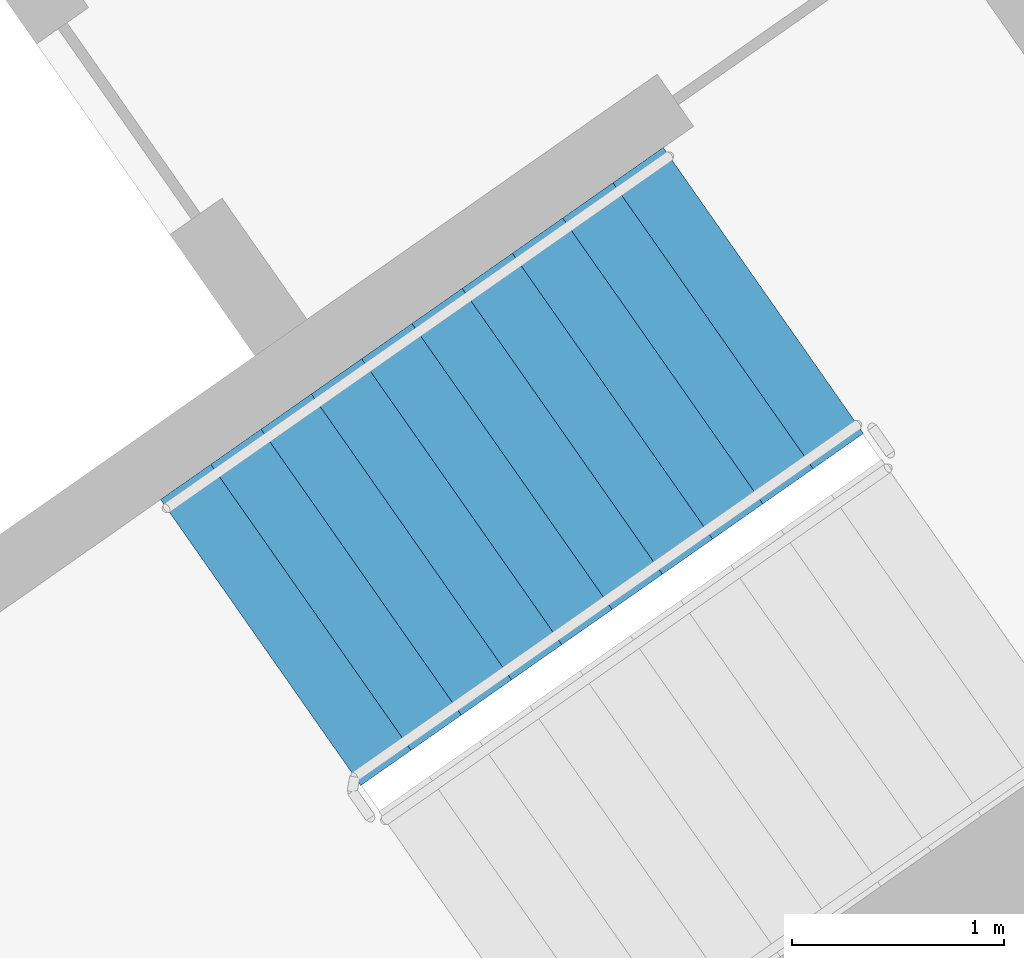
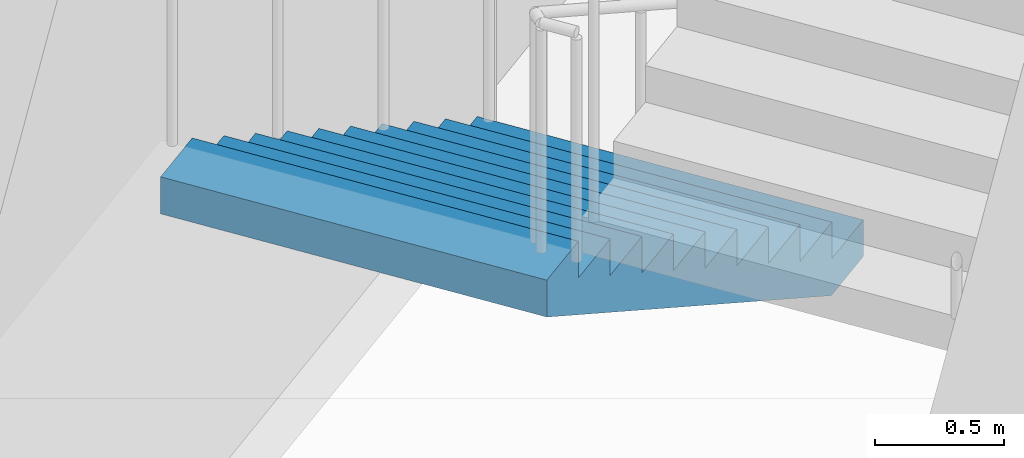
# One storey, part 17 of 29: 1 stair flight, 1 element without a shape of its own.
"""IFC4 building model written with IfcOpenShell, lengths in metres."""

from ifc_helpers import new_model, si_unit, direction, frame, origin, place, context, subcontext, project, spatial, faceted_brep, material, type_object, element, aggregate, save


model = new_model("IFC4")

# Units and contexts
model_context = context("Model", 3, precision=1e-05, world=origin(), true_north=direction((0.0, 1.0)))
body_context = subcontext(model_context, "Body", "Model", "MODEL_VIEW")
ifc_project = project(units=[si_unit("LENGTHUNIT", "METRE"), si_unit("AREAUNIT", "SQUARE_METRE"), si_unit("VOLUMEUNIT", "CUBIC_METRE"), si_unit("PLANEANGLEUNIT", "RADIAN"), si_unit("MASSUNIT", "GRAM", prefix="KILO")], contexts=[model_context])

# Site, building, storey
site_placement = place(None, origin())
site = spatial("IfcSite", under=ifc_project, at=site_placement, CompositionType="ELEMENT")
building_placement = place(site_placement, origin())
building = spatial("IfcBuilding", under=site, at=building_placement, Name="Qamariyya Broadcast Tower", CompositionType="ELEMENT")
storey_placement = place(building_placement, frame((0.0, 0.0, 113.89990234375)))
storey = spatial("IfcBuildingStorey", under=building, at=storey_placement, Name="L25", CompositionType="ELEMENT", Elevation=113.89990234375)

# Stair, stair flight
ifc_material = material(Name="Concrete C50/60", Category="concrete")
stair_type = type_object("IfcStairType", Name="Exit stair 22 risers of 173 mm", PredefinedType="HALF_TURN_STAIR", material=ifc_material)
stair_placement = place(storey_placement, origin())
stair = element("IfcStair", 1, at=stair_placement, inside=storey, type_object=stair_type, Name="L25 Stair E1", PredefinedType="HALF_TURN_STAIR")
stair_flight_type = type_object("IfcStairFlightType", Name="Exit stair flight 11 risers of 173 mm", PredefinedType="STRAIGHT", material=ifc_material)
stair_flight_placement = place(storey_placement, frame((46.036376953125, -55.508056640625, 0.0), z_axis=(0.0, 0.0, 1.0), x_axis=(-0.819152044289, -0.573576436351, 0.0)))
stair_flight = element("IfcStairFlight", 2, at=stair_flight_placement, type_object=stair_flight_type, Name="ST-E1 flight 1", NumberOfRisers=11, NumberOfTreads=10, PredefinedType="STRAIGHT", RiserHeight=0.172727273, TreadLength=0.29, context=body_context, shape_type="Brep", body=[
    faceted_brep([(0.0, 0.824951171875, 0.0), (0.0, 0.824951171875, 0.172607421875), (0.2900390625, 0.824951171875, 0.172607421875), (0.2900390625, 0.824951171875, 0.345458984375), (0.580078125, 0.824951171875, 0.345458984375), (0.580078125, 0.824951171875, 0.51806640625), (0.8701171875, 0.824951171875, 0.51806640625), (0.8701171875, 0.824951171875, 0.69091796875), (1.159912109375, 0.824951171875, 0.69091796875), (1.159912109375, 0.824951171875, 0.863525390625), (1.449951171875, 0.824951171875, 0.863525390625), (1.449951171875, 0.824951171875, 1.036376953125), (1.739990234375, 0.824951171875, 1.036376953125), (1.739990234375, 0.824951171875, 1.208984375), (2.030029296875, 0.824951171875, 1.208984375), (2.030029296875, 0.824951171875, 1.3818359375), (2.320068359375, 0.824951171875, 1.3818359375), (2.320068359375, 0.824951171875, 1.554443359375), (2.610107421875, 0.824951171875, 1.554443359375), (2.610107421875, 0.824951171875, 1.727294921875), (2.89990234375, 0.824951171875, 1.727294921875), (2.89990234375, 0.824951171875, 1.552734375), (0.29296875, 0.824951171875, 0.0), (0.29296875, -0.824951171875, 0.0), (2.89990234375, -0.824951171875, 1.552734375), (2.89990234375, -0.824951171875, 1.727294921875), (2.610107421875, -0.824951171875, 1.727294921875), (2.610107421875, -0.824951171875, 1.554443359375), (2.320068359375, -0.824951171875, 1.554443359375), (2.320068359375, -0.824951171875, 1.3818359375), (2.030029296875, -0.824951171875, 1.3818359375), (2.030029296875, -0.824951171875, 1.208984375), (1.739990234375, -0.824951171875, 1.208984375), (1.739990234375, -0.824951171875, 1.036376953125), (1.449951171875, -0.824951171875, 1.036376953125), (1.449951171875, -0.824951171875, 0.863525390625), (1.159912109375, -0.824951171875, 0.863525390625), (1.159912109375, -0.824951171875, 0.69091796875), (0.8701171875, -0.824951171875, 0.69091796875), (0.8701171875, -0.824951171875, 0.51806640625), (0.580078125, -0.824951171875, 0.51806640625), (0.580078125, -0.824951171875, 0.345458984375), (0.2900390625, -0.824951171875, 0.345458984375), (0.2900390625, -0.824951171875, 0.172607421875), (0.0, -0.824951171875, 0.172607421875), (0.0, -0.824951171875, 0.0), (0.0, 0.10009765625, 0.0), (0.0, 0.086669921875, 0.0), (0.0, 0.0732421875, 0.0), (0.0, 0.06005859375, 0.0), (0.0, 0.046630859375, 0.0), (0.0, 0.033447265625, 0.0), (0.0, 0.02001953125, 0.0), (0.0, 0.006591796875, 0.0), (0.0, -0.006591796875, 0.0), (0.0, -0.02001953125, 0.0), (0.0, -0.033447265625, 0.0), (0.0, -0.046630859375, 0.0), (0.0, -0.06005859375, 0.0), (0.0, -0.0732421875, 0.0), (0.0, -0.086669921875, 0.0), (0.0, -0.10009765625, 0.0), (0.0, -0.10009765625, 0.172607421875), (0.0, -0.086669921875, 0.172607421875), (0.0, -0.0732421875, 0.172607421875), (0.0, -0.06005859375, 0.172607421875), (0.0, -0.046630859375, 0.172607421875), (0.0, -0.033447265625, 0.172607421875), (0.0, -0.02001953125, 0.172607421875), (0.0, -0.006591796875, 0.172607421875), (0.0, 0.006591796875, 0.172607421875), (0.0, 0.02001953125, 0.172607421875), (0.0, 0.033447265625, 0.172607421875), (0.0, 0.046630859375, 0.172607421875), (0.0, 0.06005859375, 0.172607421875), (0.0, 0.0732421875, 0.172607421875), (0.0, 0.086669921875, 0.172607421875), (0.0, 0.10009765625, 0.172607421875), (0.2900390625, -0.10009765625, 0.172607421875), (0.2900390625, -0.086669921875, 0.172607421875), (0.2900390625, -0.0732421875, 0.172607421875), (0.2900390625, -0.06005859375, 0.172607421875), (0.2900390625, -0.046630859375, 0.172607421875), (0.2900390625, -0.033447265625, 0.172607421875), (0.2900390625, -0.02001953125, 0.172607421875), (0.2900390625, -0.006591796875, 0.172607421875), (0.2900390625, 0.006591796875, 0.172607421875), (0.2900390625, 0.02001953125, 0.172607421875), (0.2900390625, 0.033447265625, 0.172607421875), (0.2900390625, 0.046630859375, 0.172607421875), (0.2900390625, 0.06005859375, 0.172607421875), (0.2900390625, 0.0732421875, 0.172607421875), (0.2900390625, 0.086669921875, 0.172607421875), (0.2900390625, 0.10009765625, 0.172607421875), (0.2900390625, -0.10009765625, 0.345458984375), (0.2900390625, -0.086669921875, 0.345458984375), (0.2900390625, -0.0732421875, 0.345458984375), (0.2900390625, -0.06005859375, 0.345458984375), (0.2900390625, -0.046630859375, 0.345458984375), (0.2900390625, -0.033447265625, 0.345458984375), (0.2900390625, -0.02001953125, 0.345458984375), (0.2900390625, -0.006591796875, 0.345458984375), (0.2900390625, 0.006591796875, 0.345458984375), (0.2900390625, 0.02001953125, 0.345458984375), (0.2900390625, 0.033447265625, 0.345458984375), (0.2900390625, 0.046630859375, 0.345458984375), (0.2900390625, 0.06005859375, 0.345458984375), (0.2900390625, 0.0732421875, 0.345458984375), (0.2900390625, 0.086669921875, 0.345458984375), (0.2900390625, 0.10009765625, 0.345458984375), (0.580078125, -0.10009765625, 0.345458984375), (0.580078125, -0.086669921875, 0.345458984375), (0.580078125, -0.0732421875, 0.345458984375), (0.580078125, -0.06005859375, 0.345458984375), (0.580078125, -0.046630859375, 0.345458984375), (0.580078125, -0.033447265625, 0.345458984375), (0.580078125, -0.02001953125, 0.345458984375), (0.580078125, -0.006591796875, 0.345458984375), (0.580078125, 0.006591796875, 0.345458984375), (0.580078125, 0.02001953125, 0.345458984375), (0.580078125, 0.033447265625, 0.345458984375), (0.580078125, 0.046630859375, 0.345458984375), (0.580078125, 0.06005859375, 0.345458984375), (0.580078125, 0.0732421875, 0.345458984375), (0.580078125, 0.086669921875, 0.345458984375), (0.580078125, 0.10009765625, 0.345458984375), (0.580078125, -0.10009765625, 0.51806640625), (0.580078125, -0.086669921875, 0.51806640625), (0.580078125, -0.0732421875, 0.51806640625), (0.580078125, -0.06005859375, 0.51806640625), (0.580078125, -0.046630859375, 0.51806640625), (0.580078125, -0.033447265625, 0.51806640625), (0.580078125, -0.02001953125, 0.51806640625), (0.580078125, -0.006591796875, 0.51806640625), (0.580078125, 0.006591796875, 0.51806640625), (0.580078125, 0.02001953125, 0.51806640625), (0.580078125, 0.033447265625, 0.51806640625), (0.580078125, 0.046630859375, 0.51806640625), (0.580078125, 0.06005859375, 0.51806640625), (0.580078125, 0.0732421875, 0.51806640625), (0.580078125, 0.086669921875, 0.51806640625), (0.580078125, 0.10009765625, 0.51806640625), (0.8701171875, -0.10009765625, 0.51806640625), (0.8701171875, -0.086669921875, 0.51806640625), (0.8701171875, -0.0732421875, 0.51806640625), (0.8701171875, -0.06005859375, 0.51806640625), (0.8701171875, -0.046630859375, 0.51806640625), (0.8701171875, -0.033447265625, 0.51806640625), (0.8701171875, -0.02001953125, 0.51806640625), (0.8701171875, -0.006591796875, 0.51806640625), (0.8701171875, 0.006591796875, 0.51806640625), (0.8701171875, 0.02001953125, 0.51806640625), (0.8701171875, 0.033447265625, 0.51806640625), (0.8701171875, 0.046630859375, 0.51806640625), (0.8701171875, 0.06005859375, 0.51806640625), (0.8701171875, 0.0732421875, 0.51806640625), (0.8701171875, 0.086669921875, 0.51806640625), (0.8701171875, 0.10009765625, 0.51806640625), (0.8701171875, -0.10009765625, 0.69091796875), (0.8701171875, -0.086669921875, 0.69091796875), (0.8701171875, -0.0732421875, 0.69091796875), (0.8701171875, -0.06005859375, 0.69091796875), (0.8701171875, -0.046630859375, 0.69091796875), (0.8701171875, -0.033447265625, 0.69091796875), (0.8701171875, -0.02001953125, 0.69091796875), (0.8701171875, -0.006591796875, 0.69091796875), (0.8701171875, 0.006591796875, 0.69091796875), (0.8701171875, 0.02001953125, 0.69091796875), (0.8701171875, 0.033447265625, 0.69091796875), (0.8701171875, 0.046630859375, 0.69091796875), (0.8701171875, 0.06005859375, 0.69091796875), (0.8701171875, 0.0732421875, 0.69091796875), (0.8701171875, 0.086669921875, 0.69091796875), (0.8701171875, 0.10009765625, 0.69091796875), (1.159912109375, -0.10009765625, 0.69091796875), (1.159912109375, -0.086669921875, 0.69091796875), (1.159912109375, -0.0732421875, 0.69091796875), (1.159912109375, -0.06005859375, 0.69091796875), (1.159912109375, -0.046630859375, 0.69091796875), (1.159912109375, -0.033447265625, 0.69091796875), (1.159912109375, -0.02001953125, 0.69091796875), (1.159912109375, -0.006591796875, 0.69091796875), (1.159912109375, 0.006591796875, 0.69091796875), (1.159912109375, 0.02001953125, 0.69091796875), (1.159912109375, 0.033447265625, 0.69091796875), (1.159912109375, 0.046630859375, 0.69091796875), (1.159912109375, 0.06005859375, 0.69091796875), (1.159912109375, 0.0732421875, 0.69091796875), (1.159912109375, 0.086669921875, 0.69091796875), (1.159912109375, 0.10009765625, 0.69091796875), (1.159912109375, -0.10009765625, 0.863525390625), (1.159912109375, -0.086669921875, 0.863525390625), (1.159912109375, -0.0732421875, 0.863525390625), (1.159912109375, -0.06005859375, 0.863525390625), (1.159912109375, -0.046630859375, 0.863525390625), (1.159912109375, -0.033447265625, 0.863525390625), (1.159912109375, -0.02001953125, 0.863525390625), (1.159912109375, -0.006591796875, 0.863525390625), (1.159912109375, 0.006591796875, 0.863525390625), (1.159912109375, 0.02001953125, 0.863525390625), (1.159912109375, 0.033447265625, 0.863525390625), (1.159912109375, 0.046630859375, 0.863525390625), (1.159912109375, 0.06005859375, 0.863525390625), (1.159912109375, 0.0732421875, 0.863525390625), (1.159912109375, 0.086669921875, 0.863525390625), (1.159912109375, 0.10009765625, 0.863525390625), (1.449951171875, -0.10009765625, 0.863525390625), (1.449951171875, -0.086669921875, 0.863525390625), (1.449951171875, -0.0732421875, 0.863525390625), (1.449951171875, -0.06005859375, 0.863525390625), (1.449951171875, -0.046630859375, 0.863525390625), (1.449951171875, -0.033447265625, 0.863525390625), (1.449951171875, -0.02001953125, 0.863525390625), (1.449951171875, -0.006591796875, 0.863525390625), (1.449951171875, 0.006591796875, 0.863525390625), (1.449951171875, 0.02001953125, 0.863525390625), (1.449951171875, 0.033447265625, 0.863525390625), (1.449951171875, 0.046630859375, 0.863525390625), (1.449951171875, 0.06005859375, 0.863525390625), (1.449951171875, 0.0732421875, 0.863525390625), (1.449951171875, 0.086669921875, 0.863525390625), (1.449951171875, 0.10009765625, 0.863525390625), (1.449951171875, -0.10009765625, 1.036376953125), (1.449951171875, -0.086669921875, 1.036376953125), (1.449951171875, -0.0732421875, 1.036376953125), (1.449951171875, -0.06005859375, 1.036376953125), (1.449951171875, -0.046630859375, 1.036376953125), (1.449951171875, -0.033447265625, 1.036376953125), (1.449951171875, -0.02001953125, 1.036376953125), (1.449951171875, -0.006591796875, 1.036376953125), (1.449951171875, 0.006591796875, 1.036376953125), (1.449951171875, 0.02001953125, 1.036376953125), (1.449951171875, 0.033447265625, 1.036376953125), (1.449951171875, 0.046630859375, 1.036376953125), (1.449951171875, 0.06005859375, 1.036376953125), (1.449951171875, 0.0732421875, 1.036376953125), (1.449951171875, 0.086669921875, 1.036376953125), (1.449951171875, 0.10009765625, 1.036376953125), (1.739990234375, -0.10009765625, 1.036376953125), (1.739990234375, -0.086669921875, 1.036376953125), (1.739990234375, -0.0732421875, 1.036376953125), (1.739990234375, -0.06005859375, 1.036376953125), (1.739990234375, -0.046630859375, 1.036376953125), (1.739990234375, -0.033447265625, 1.036376953125), (1.739990234375, -0.02001953125, 1.036376953125), (1.739990234375, -0.006591796875, 1.036376953125), (1.739990234375, 0.006591796875, 1.036376953125), (1.739990234375, 0.02001953125, 1.036376953125), (1.739990234375, 0.033447265625, 1.036376953125), (1.739990234375, 0.046630859375, 1.036376953125), (1.739990234375, 0.06005859375, 1.036376953125), (1.739990234375, 0.0732421875, 1.036376953125), (1.739990234375, 0.086669921875, 1.036376953125), (1.739990234375, 0.10009765625, 1.036376953125), (1.739990234375, -0.10009765625, 1.208984375), (1.739990234375, -0.086669921875, 1.208984375), (1.739990234375, -0.0732421875, 1.208984375), (1.739990234375, -0.06005859375, 1.208984375), (1.739990234375, -0.046630859375, 1.208984375), (1.739990234375, -0.033447265625, 1.208984375), (1.739990234375, -0.02001953125, 1.208984375), (1.739990234375, -0.006591796875, 1.208984375), (1.739990234375, 0.006591796875, 1.208984375), (1.739990234375, 0.02001953125, 1.208984375), (1.739990234375, 0.033447265625, 1.208984375), (1.739990234375, 0.046630859375, 1.208984375), (1.739990234375, 0.06005859375, 1.208984375), (1.739990234375, 0.0732421875, 1.208984375), (1.739990234375, 0.086669921875, 1.208984375), (1.739990234375, 0.10009765625, 1.208984375), (2.030029296875, -0.10009765625, 1.208984375), (2.030029296875, -0.086669921875, 1.208984375), (2.030029296875, -0.0732421875, 1.208984375), (2.030029296875, -0.06005859375, 1.208984375), (2.030029296875, -0.046630859375, 1.208984375), (2.030029296875, -0.033447265625, 1.208984375), (2.030029296875, -0.02001953125, 1.208984375), (2.030029296875, -0.006591796875, 1.208984375), (2.030029296875, 0.006591796875, 1.208984375), (2.030029296875, 0.02001953125, 1.208984375), (2.030029296875, 0.033447265625, 1.208984375), (2.030029296875, 0.046630859375, 1.208984375), (2.030029296875, 0.06005859375, 1.208984375), (2.030029296875, 0.0732421875, 1.208984375), (2.030029296875, 0.086669921875, 1.208984375), (2.030029296875, 0.10009765625, 1.208984375), (2.030029296875, -0.10009765625, 1.3818359375), (2.030029296875, -0.086669921875, 1.3818359375), (2.030029296875, -0.0732421875, 1.3818359375), (2.030029296875, -0.06005859375, 1.3818359375), (2.030029296875, -0.046630859375, 1.3818359375), (2.030029296875, -0.033447265625, 1.3818359375), (2.030029296875, -0.02001953125, 1.3818359375), (2.030029296875, -0.006591796875, 1.3818359375), (2.030029296875, 0.006591796875, 1.3818359375), (2.030029296875, 0.02001953125, 1.3818359375), (2.030029296875, 0.033447265625, 1.3818359375), (2.030029296875, 0.046630859375, 1.3818359375), (2.030029296875, 0.06005859375, 1.3818359375), (2.030029296875, 0.0732421875, 1.3818359375), (2.030029296875, 0.086669921875, 1.3818359375), (2.030029296875, 0.10009765625, 1.3818359375), (2.320068359375, -0.10009765625, 1.3818359375), (2.320068359375, -0.086669921875, 1.3818359375), (2.320068359375, -0.0732421875, 1.3818359375), (2.320068359375, -0.06005859375, 1.3818359375), (2.320068359375, -0.046630859375, 1.3818359375), (2.320068359375, -0.033447265625, 1.3818359375), (2.320068359375, -0.02001953125, 1.3818359375), (2.320068359375, -0.006591796875, 1.3818359375), (2.320068359375, 0.006591796875, 1.3818359375), (2.320068359375, 0.02001953125, 1.3818359375), (2.320068359375, 0.033447265625, 1.3818359375), (2.320068359375, 0.046630859375, 1.3818359375), (2.320068359375, 0.06005859375, 1.3818359375), (2.320068359375, 0.0732421875, 1.3818359375), (2.320068359375, 0.086669921875, 1.3818359375), (2.320068359375, 0.10009765625, 1.3818359375), (2.320068359375, -0.10009765625, 1.554443359375), (2.320068359375, -0.086669921875, 1.554443359375), (2.320068359375, -0.0732421875, 1.554443359375), (2.320068359375, -0.06005859375, 1.554443359375), (2.320068359375, -0.046630859375, 1.554443359375), (2.320068359375, -0.033447265625, 1.554443359375), (2.320068359375, -0.02001953125, 1.554443359375), (2.320068359375, -0.006591796875, 1.554443359375), (2.320068359375, 0.006591796875, 1.554443359375), (2.320068359375, 0.02001953125, 1.554443359375), (2.320068359375, 0.033447265625, 1.554443359375), (2.320068359375, 0.046630859375, 1.554443359375), (2.320068359375, 0.06005859375, 1.554443359375), (2.320068359375, 0.0732421875, 1.554443359375), (2.320068359375, 0.086669921875, 1.554443359375), (2.320068359375, 0.10009765625, 1.554443359375), (2.610107421875, -0.10009765625, 1.554443359375), (2.610107421875, -0.086669921875, 1.554443359375), (2.610107421875, -0.0732421875, 1.554443359375), (2.610107421875, -0.06005859375, 1.554443359375), (2.610107421875, -0.046630859375, 1.554443359375), (2.610107421875, -0.033447265625, 1.554443359375), (2.610107421875, -0.02001953125, 1.554443359375), (2.610107421875, -0.006591796875, 1.554443359375), (2.610107421875, 0.006591796875, 1.554443359375), (2.610107421875, 0.02001953125, 1.554443359375), (2.610107421875, 0.033447265625, 1.554443359375), (2.610107421875, 0.046630859375, 1.554443359375), (2.610107421875, 0.06005859375, 1.554443359375), (2.610107421875, 0.0732421875, 1.554443359375), (2.610107421875, 0.086669921875, 1.554443359375), (2.610107421875, 0.10009765625, 1.554443359375), (2.610107421875, -0.10009765625, 1.727294921875), (2.610107421875, -0.086669921875, 1.727294921875), (2.610107421875, -0.0732421875, 1.727294921875), (2.610107421875, -0.06005859375, 1.727294921875), (2.610107421875, -0.046630859375, 1.727294921875), (2.610107421875, -0.033447265625, 1.727294921875), (2.610107421875, -0.02001953125, 1.727294921875), (2.610107421875, -0.006591796875, 1.727294921875), (2.610107421875, 0.006591796875, 1.727294921875), (2.610107421875, 0.02001953125, 1.727294921875), (2.610107421875, 0.033447265625, 1.727294921875), (2.610107421875, 0.046630859375, 1.727294921875), (2.610107421875, 0.06005859375, 1.727294921875), (2.610107421875, 0.0732421875, 1.727294921875), (2.610107421875, 0.086669921875, 1.727294921875), (2.610107421875, 0.10009765625, 1.727294921875), (2.89990234375, -0.10009765625, 1.727294921875), (2.89990234375, -0.086669921875, 1.727294921875), (2.89990234375, -0.0732421875, 1.727294921875), (2.89990234375, -0.06005859375, 1.727294921875), (2.89990234375, -0.046630859375, 1.727294921875), (2.89990234375, -0.033447265625, 1.727294921875), (2.89990234375, -0.02001953125, 1.727294921875), (2.89990234375, -0.006591796875, 1.727294921875), (2.89990234375, 0.006591796875, 1.727294921875), (2.89990234375, 0.02001953125, 1.727294921875), (2.89990234375, 0.033447265625, 1.727294921875), (2.89990234375, 0.046630859375, 1.727294921875), (2.89990234375, 0.06005859375, 1.727294921875), (2.89990234375, 0.0732421875, 1.727294921875), (2.89990234375, 0.086669921875, 1.727294921875), (2.89990234375, 0.10009765625, 1.727294921875), (2.89990234375, -0.10009765625, 1.552734375), (2.89990234375, -0.086669921875, 1.552734375), (2.89990234375, -0.0732421875, 1.552734375), (2.89990234375, -0.06005859375, 1.552734375), (2.89990234375, -0.046630859375, 1.552734375), (2.89990234375, -0.033447265625, 1.552734375), (2.89990234375, -0.02001953125, 1.552734375), (2.89990234375, -0.006591796875, 1.552734375), (2.89990234375, 0.006591796875, 1.552734375), (2.89990234375, 0.02001953125, 1.552734375), (2.89990234375, 0.033447265625, 1.552734375), (2.89990234375, 0.046630859375, 1.552734375), (2.89990234375, 0.06005859375, 1.552734375), (2.89990234375, 0.0732421875, 1.552734375), (2.89990234375, 0.086669921875, 1.552734375), (2.89990234375, 0.10009765625, 1.552734375), (0.29296875, -0.10009765625, 0.0), (0.29296875, -0.086669921875, 0.0), (0.29296875, -0.0732421875, 0.0), (0.29296875, -0.06005859375, 0.0), (0.29296875, -0.046630859375, 0.0), (0.29296875, -0.033447265625, 0.0), (0.29296875, -0.02001953125, 0.0), (0.29296875, -0.006591796875, 0.0), (0.29296875, 0.006591796875, 0.0), (0.29296875, 0.02001953125, 0.0), (0.29296875, 0.033447265625, 0.0), (0.29296875, 0.046630859375, 0.0), (0.29296875, 0.06005859375, 0.0), (0.29296875, 0.0732421875, 0.0), (0.29296875, 0.086669921875, 0.0), (0.29296875, 0.10009765625, 0.0)], [[[0, 1, 2, 3, 4, 5, 6, 7, 8, 9, 10, 11, 12, 13, 14, 15, 16, 17, 18, 19, 20, 21, 22]], [[23, 24, 25, 26, 27, 28, 29, 30, 31, 32, 33, 34, 35, 36, 37, 38, 39, 40, 41, 42, 43, 44, 45]], [[0, 46, 47, 48, 49, 50, 51, 52, 53, 54, 55, 56, 57, 58, 59, 60, 61, 45, 44, 62, 63, 64, 65, 66, 67, 68, 69, 70, 71, 72, 73, 74, 75, 76, 77, 1]], [[1, 77, 76, 75, 74, 73, 72, 71, 70, 69, 68, 67, 66, 65, 64, 63, 62, 44, 43, 78, 79, 80, 81, 82, 83, 84, 85, 86, 87, 88, 89, 90, 91, 92, 93, 2]], [[2, 93, 92, 91, 90, 89, 88, 87, 86, 85, 84, 83, 82, 81, 80, 79, 78, 43, 42, 94, 95, 96, 97, 98, 99, 100, 101, 102, 103, 104, 105, 106, 107, 108, 109, 3]], [[3, 109, 108, 107, 106, 105, 104, 103, 102, 101, 100, 99, 98, 97, 96, 95, 94, 42, 41, 110, 111, 112, 113, 114, 115, 116, 117, 118, 119, 120, 121, 122, 123, 124, 125, 4]], [[4, 125, 124, 123, 122, 121, 120, 119, 118, 117, 116, 115, 114, 113, 112, 111, 110, 41, 40, 126, 127, 128, 129, 130, 131, 132, 133, 134, 135, 136, 137, 138, 139, 140, 141, 5]], [[5, 141, 140, 139, 138, 137, 136, 135, 134, 133, 132, 131, 130, 129, 128, 127, 126, 40, 39, 142, 143, 144, 145, 146, 147, 148, 149, 150, 151, 152, 153, 154, 155, 156, 157, 6]], [[6, 157, 156, 155, 154, 153, 152, 151, 150, 149, 148, 147, 146, 145, 144, 143, 142, 39, 38, 158, 159, 160, 161, 162, 163, 164, 165, 166, 167, 168, 169, 170, 171, 172, 173, 7]], [[7, 173, 172, 171, 170, 169, 168, 167, 166, 165, 164, 163, 162, 161, 160, 159, 158, 38, 37, 174, 175, 176, 177, 178, 179, 180, 181, 182, 183, 184, 185, 186, 187, 188, 189, 8]], [[8, 189, 188, 187, 186, 185, 184, 183, 182, 181, 180, 179, 178, 177, 176, 175, 174, 37, 36, 190, 191, 192, 193, 194, 195, 196, 197, 198, 199, 200, 201, 202, 203, 204, 205, 9]], [[9, 205, 204, 203, 202, 201, 200, 199, 198, 197, 196, 195, 194, 193, 192, 191, 190, 36, 35, 206, 207, 208, 209, 210, 211, 212, 213, 214, 215, 216, 217, 218, 219, 220, 221, 10]], [[10, 221, 220, 219, 218, 217, 216, 215, 214, 213, 212, 211, 210, 209, 208, 207, 206, 35, 34, 222, 223, 224, 225, 226, 227, 228, 229, 230, 231, 232, 233, 234, 235, 236, 237, 11]], [[11, 237, 236, 235, 234, 233, 232, 231, 230, 229, 228, 227, 226, 225, 224, 223, 222, 34, 33, 238, 239, 240, 241, 242, 243, 244, 245, 246, 247, 248, 249, 250, 251, 252, 253, 12]], [[12, 253, 252, 251, 250, 249, 248, 247, 246, 245, 244, 243, 242, 241, 240, 239, 238, 33, 32, 254, 255, 256, 257, 258, 259, 260, 261, 262, 263, 264, 265, 266, 267, 268, 269, 13]], [[13, 269, 268, 267, 266, 265, 264, 263, 262, 261, 260, 259, 258, 257, 256, 255, 254, 32, 31, 270, 271, 272, 273, 274, 275, 276, 277, 278, 279, 280, 281, 282, 283, 284, 285, 14]], [[14, 285, 284, 283, 282, 281, 280, 279, 278, 277, 276, 275, 274, 273, 272, 271, 270, 31, 30, 286, 287, 288, 289, 290, 291, 292, 293, 294, 295, 296, 297, 298, 299, 300, 301, 15]], [[15, 301, 300, 299, 298, 297, 296, 295, 294, 293, 292, 291, 290, 289, 288, 287, 286, 30, 29, 302, 303, 304, 305, 306, 307, 308, 309, 310, 311, 312, 313, 314, 315, 316, 317, 16]], [[16, 317, 316, 315, 314, 313, 312, 311, 310, 309, 308, 307, 306, 305, 304, 303, 302, 29, 28, 318, 319, 320, 321, 322, 323, 324, 325, 326, 327, 328, 329, 330, 331, 332, 333, 17]], [[17, 333, 332, 331, 330, 329, 328, 327, 326, 325, 324, 323, 322, 321, 320, 319, 318, 28, 27, 334, 335, 336, 337, 338, 339, 340, 341, 342, 343, 344, 345, 346, 347, 348, 349, 18]], [[18, 349, 348, 347, 346, 345, 344, 343, 342, 341, 340, 339, 338, 337, 336, 335, 334, 27, 26, 350, 351, 352, 353, 354, 355, 356, 357, 358, 359, 360, 361, 362, 363, 364, 365, 19]], [[19, 365, 364, 363, 362, 361, 360, 359, 358, 357, 356, 355, 354, 353, 352, 351, 350, 26, 25, 366, 367, 368, 369, 370, 371, 372, 373, 374, 375, 376, 377, 378, 379, 380, 381, 20]], [[20, 381, 380, 379, 378, 377, 376, 375, 374, 373, 372, 371, 370, 369, 368, 367, 366, 25, 24, 382, 383, 384, 385, 386, 387, 388, 389, 390, 391, 392, 393, 394, 395, 396, 397, 21]], [[21, 397, 396, 395, 394, 393, 392, 391, 390, 389, 388, 387, 386, 385, 384, 383, 382, 24, 23, 398, 399, 400, 401, 402, 403, 404, 405, 406, 407, 408, 409, 410, 411, 412, 413, 22]], [[22, 413, 412, 411, 410, 409, 408, 407, 406, 405, 404, 403, 402, 401, 400, 399, 398, 23, 45, 61, 60, 59, 58, 57, 56, 55, 54, 53, 52, 51, 50, 49, 48, 47, 46, 0]]]),
])
aggregate(stair, [stair_flight])

save(model, "model.ifc")
